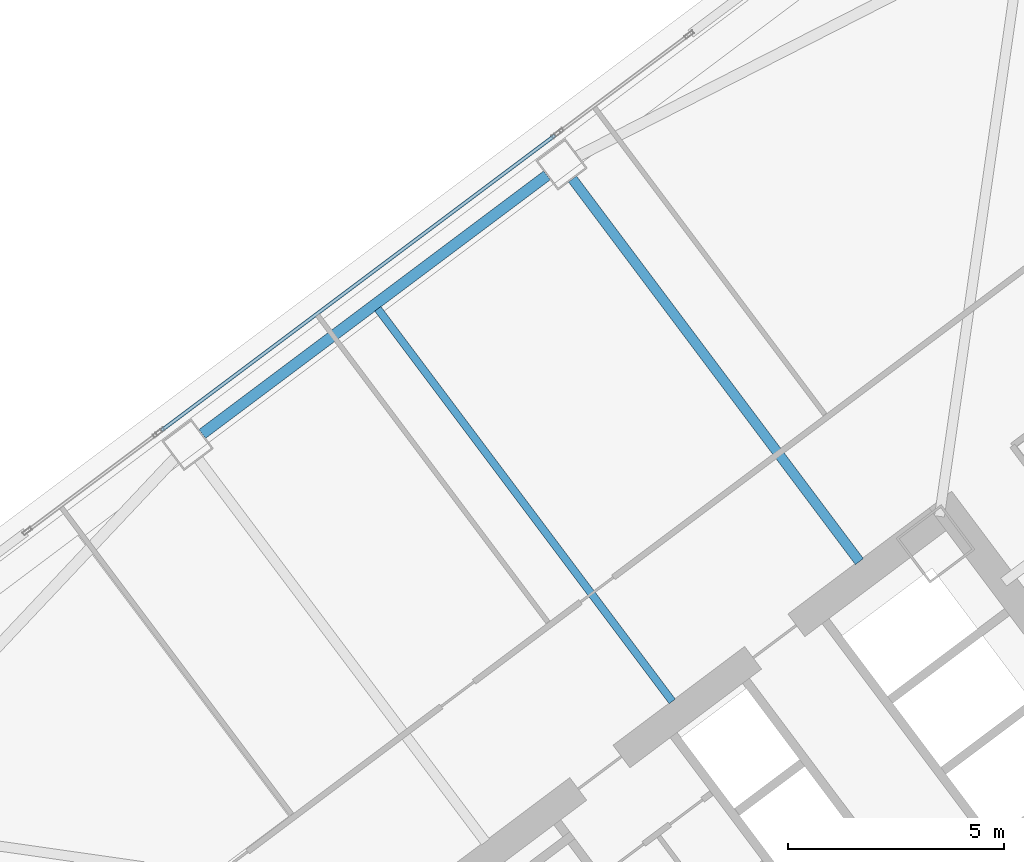
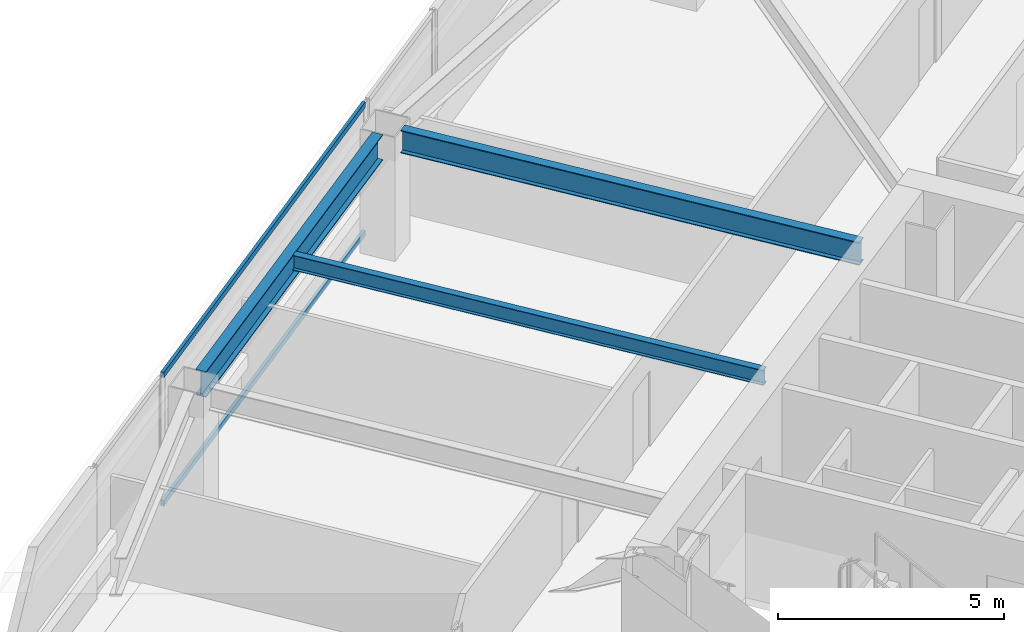
# One storey, part 28 of 44: 3 beams, 2 members, 1 element without a shape of its own.
"""IFC4 building model written with IfcOpenShell, lengths in metres."""

from ifc_helpers import new_model, si_unit, direction, frame, origin, origin_2d, place, context, subcontext, project, spatial, hollow_rectangle, i_section, extrude, material, material_profile, profile_set, type_object, element, aggregate, save


model = new_model("IFC4")

# Units and contexts
model_context = context("Model", 3, precision=1e-05, world=origin(), true_north=direction((0.0, 1.0)))
body_context = subcontext(model_context, "Body", "Model", "MODEL_VIEW")
ifc_project = project(units=[si_unit("LENGTHUNIT", "METRE"), si_unit("AREAUNIT", "SQUARE_METRE"), si_unit("VOLUMEUNIT", "CUBIC_METRE"), si_unit("PLANEANGLEUNIT", "RADIAN"), si_unit("MASSUNIT", "GRAM", prefix="KILO")], contexts=[model_context])

# Site, building, storey
site_placement = place(None, origin())
site = spatial("IfcSite", under=ifc_project, at=site_placement, CompositionType="ELEMENT")
building_placement = place(site_placement, origin())
building = spatial("IfcBuilding", under=site, at=building_placement, Name="Tashvorn Skyway Center", CompositionType="ELEMENT")
storey_placement = place(building_placement, frame((0.0, 0.0, 74.300048828125)))
storey = spatial("IfcBuildingStorey", under=building, at=storey_placement, Name="L19", CompositionType="ELEMENT", Elevation=74.300048828125)

# Beams
ifc_material_1 = material(Name="Steel ASTM A992 Grade 50", Category="steel")
ifc_material_profile_1 = material_profile(ifc_material_1, i_section(OverallWidth=0.22998046875, OverallDepth=0.616943359375, WebThickness=0.01318359375, FlangeThickness=0.022216796875, at=origin_2d()), Name="W24X94")
ifc_profile_set_1 = profile_set([ifc_material_profile_1], Name="Steel ASTM A992 Grade 50")
beam_type_1 = type_object("IfcBeamType", Name="BM-BEAM-W24X94", PredefinedType="BEAM", material=ifc_profile_set_1)
beam_1_placement = place(storey_placement, frame((107.02197265625, 50.303955078125, 3.04150390625), z_axis=(0.60001414024, -0.799989394625, 0.0), x_axis=(0.799989394625, 0.60001414024, 0.0)))
element("IfcBeam", 1, at=beam_1_placement, inside=storey, type_object=beam_type_1, Name="Tower 2 L19 Primary Floor Girder FC-N1", PredefinedType="BEAM", context=body_context, shape_type="SweptSolid", body=[
    extrude(i_section(OverallWidth=0.22998046875, OverallDepth=0.616943359375, WebThickness=0.01318359375, FlangeThickness=0.022216796875, at=origin_2d()), origin(), (0.0, 0.0, 1.0), 11.050048828125),
])
ifc_material_profile_2 = material_profile(ifc_material_1, i_section(OverallWidth=0.177978515625, OverallDepth=0.406005859375, WebThickness=0.0078125, FlangeThickness=0.0126953125, at=origin_2d()), Name="W16X40")
ifc_profile_set_2 = profile_set([ifc_material_profile_2], Name="Steel ASTM A992 Grade 50")
beam_type_2 = type_object("IfcBeamType", Name="BM-JOIST-W16X40", PredefinedType="JOIST", material=ifc_profile_set_2)
beam_2_placement = place(storey_placement, frame((109.325927734375, 38.23193359375, 3.14697265625), z_axis=(-0.599996555327, 0.800002583493, 0.0), x_axis=(-0.800002583493, -0.599996555327, 0.0)))
element("IfcBeam", 2, at=beam_2_placement, inside=storey, type_object=beam_type_2, Name="Tower 2 L19 Secondary Composite Joist JN", PredefinedType="JOIST", context=body_context, shape_type="SweptSolid", body=[
    extrude(i_section(OverallWidth=0.177978515625, OverallDepth=0.406005859375, WebThickness=0.0078125, FlangeThickness=0.0126953125, at=origin_2d()), origin(), (0.0, 0.0, 1.0), 11.340087890625),
])
ifc_material_profile_3 = material_profile(ifc_material_1, i_section(OverallWidth=0.256103515625, OverallDepth=0.693115234375, WebThickness=0.014404296875, FlangeThickness=0.023681640625, at=origin_2d()), Name="W27X114")
ifc_profile_set_3 = profile_set([ifc_material_profile_3], Name="Steel ASTM A992 Grade 50")
beam_type_3 = type_object("IfcBeamType", Name="BM-SPANDREL-W27X114", PredefinedType="SPANDREL", material=ifc_profile_set_3)
beam_3_placement = place(storey_placement, frame((106.43408203125, 50.387939453125, 3.00341796875), z_axis=(-0.800008824351, -0.599988234018, 0.0), x_axis=(0.599988234018, -0.800008824351, 0.0)))
element("IfcBeam", 3, at=beam_3_placement, inside=storey, type_object=beam_type_3, Name="Tower 2 L19 Spandrel Beam 08", PredefinedType="SPANDREL", context=body_context, shape_type="SweptSolid", body=[
    extrude(i_section(OverallWidth=0.256103515625, OverallDepth=0.693115234375, WebThickness=0.014404296875, FlangeThickness=0.023681640625, at=origin_2d()), origin(), (0.0, 0.0, 1.0), 9.9599609375),
])

# Curtain wall, members
ifc_material_2 = material(Name="Thermally broken bronze-anodized aluminium 6063-T6", Category="aluminium")
curtain_wall_type = type_object("IfcCurtainWallType", Name="CW-CW-Z2", PredefinedType="NOTDEFINED", material=ifc_material_2)
curtain_wall_placement = place(storey_placement, origin())
curtain_wall = element("IfcCurtainWall", 4, at=curtain_wall_placement, inside=storey, type_object=curtain_wall_type, Name="Tower 2 L19 North Unitised Curtain Wall Glazing Group 2", PredefinedType="NOTDEFINED")
ifc_material_profile_4 = material_profile(ifc_material_2, hollow_rectangle(XDim=0.080078125, YDim=0.14990234375, WallThickness=0.00439453125, at=origin_2d()), Name="ALU-TRAN-80x150")
ifc_profile_set_4 = profile_set([ifc_material_profile_4], Name="Thermally broken bronze-anodized aluminium 6063-T6")
member_type = type_object("IfcMemberType", Name="CWT-CW-Z2", PredefinedType="USERDEFINED", material=ifc_profile_set_4)
member_1_placement = place(storey_placement, frame((97.528076171875, 44.49609375, 0.0400390625), z_axis=(0.8, 0.6, 0.0), x_axis=(-0.6, 0.8, 0.0)))
member_1 = element("IfcMember", 5, at=member_1_placement, type_object=member_type, Name="CW-Z2 transom 1.1", ObjectType="TRANSOM", PredefinedType="USERDEFINED", context=body_context, shape_type="SweptSolid", body=[
    extrude(hollow_rectangle(XDim=0.080078125, YDim=0.14990234375, WallThickness=0.00439453125, at=origin_2d()), origin(), (0.0, 0.0, 1.0), 11.35986328125),
])
member_2_placement = place(storey_placement, frame((97.528076171875, 44.49609375, 3.510009765625), z_axis=(0.8, 0.6, 0.0), x_axis=(-0.6, 0.8, 0.0)))
member_2 = element("IfcMember", 6, at=member_2_placement, type_object=member_type, Name="CW-Z2 transom 1.2", ObjectType="TRANSOM", PredefinedType="USERDEFINED", context=body_context, shape_type="SweptSolid", body=[
    extrude(hollow_rectangle(XDim=0.080078125, YDim=0.14990234375, WallThickness=0.00439453125, at=origin_2d()), origin(), (0.0, 0.0, 1.0), 11.35986328125),
])
aggregate(curtain_wall, [member_1, member_2])

save(model, "model.ifc")
